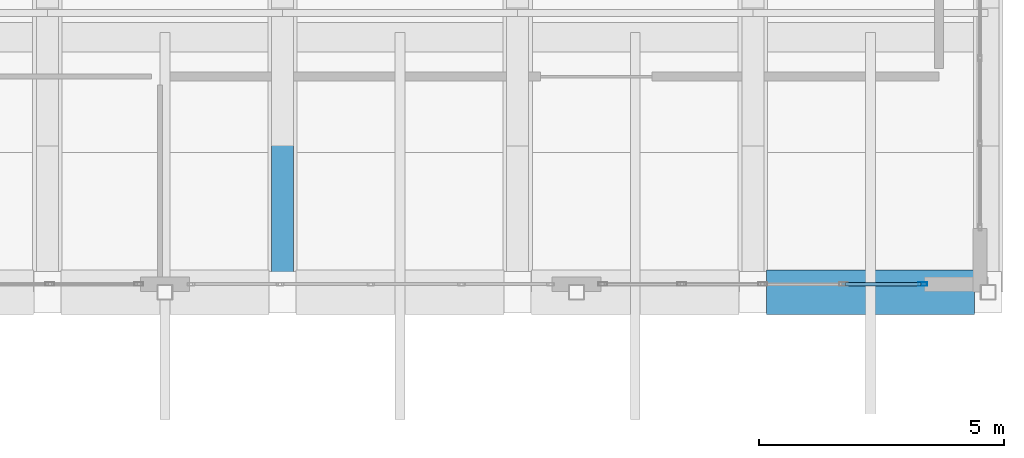
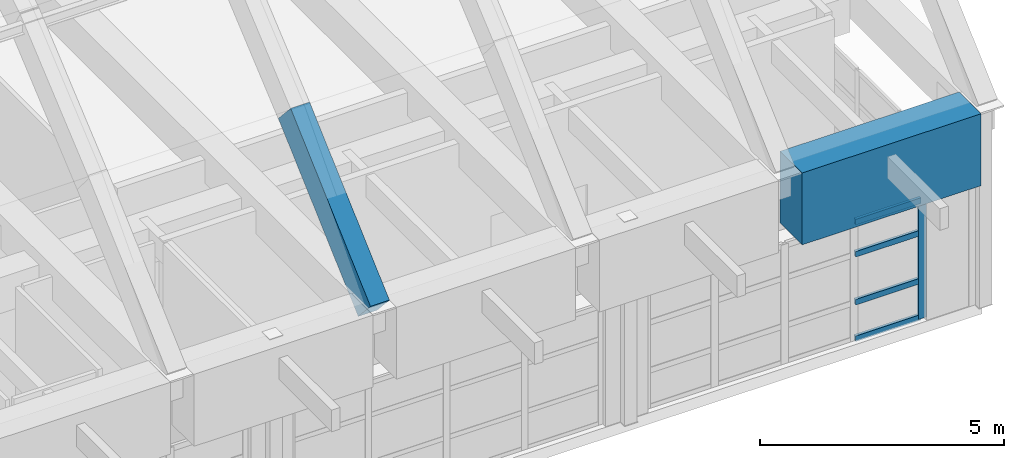
# One storey, part 42 of 78: 5 members, 2 beams, 1 element without a shape of its own.
"""IFC4 building model written with IfcOpenShell, lengths in metres."""

from ifc_helpers import new_model, si_unit, direction, frame, origin, origin_2d, place, context, subcontext, project, spatial, rectangle, hollow_rectangle, extrude, material, layer, layer_set, material_profile, profile_set, type_object, element, aggregate, save


model = new_model("IFC4")

# Units and contexts
model_context = context("Model", 3, precision=1e-05, world=origin(), true_north=direction((0.0, 1.0)))
body_context = subcontext(model_context, "Body", "Model", "MODEL_VIEW")
ifc_project = project(units=[si_unit("LENGTHUNIT", "METRE"), si_unit("AREAUNIT", "SQUARE_METRE"), si_unit("VOLUMEUNIT", "CUBIC_METRE"), si_unit("PLANEANGLEUNIT", "RADIAN"), si_unit("MASSUNIT", "GRAM", prefix="KILO")], contexts=[model_context])

# Site, building, storey
site_placement = place(None, origin())
site = spatial("IfcSite", under=ifc_project, at=site_placement, CompositionType="ELEMENT")
building_placement = place(site_placement, origin())
building = spatial("IfcBuilding", under=site, at=building_placement, Name="Quendrovan Civic Courthouse", CompositionType="ELEMENT")
storey_placement = place(building_placement, frame((0.0, 0.0, 20.39990234375)))
storey = spatial("IfcBuildingStorey", under=building, at=storey_placement, Name="L05", CompositionType="ELEMENT", Elevation=20.39990234375)

# Beams
ifc_material_1 = material(Name="Concrete C45/55", Category="concrete")
ifc_material_profile_1 = material_profile(ifc_material_1, rectangle(XDim=0.89990234375, YDim=1.800048828125, at=origin_2d()), Name="RC-TG-900x1800")
ifc_profile_set_1 = profile_set([ifc_material_profile_1], Name="Concrete C45/55")
beam_type_1 = type_object("IfcBeamType", Name="BM-TG1800", PredefinedType="BEAM", material=ifc_profile_set_1)
beam_1_placement = place(storey_placement, frame((138.280029296875, 87.60009765625, 4.2001953125), z_axis=(1.0, 0.0, 0.0), x_axis=(0.0, 1.0, 0.0)))
element("IfcBeam", 1, at=beam_1_placement, inside=storey, type_object=beam_type_1, Name="BV1 Springing Collector Girder S-7", PredefinedType="BEAM", context=body_context, shape_type="SweptSolid", body=[
    extrude(rectangle(XDim=0.89990234375, YDim=1.800048828125, at=origin_2d()), origin(), (0.0, 0.0, 1.0), 4.239990234375),
])
ifc_material_2 = material(Name="Concrete C40/50", Category="concrete")
ifc_material_profile_2 = material_profile(ifc_material_2, rectangle(XDim=0.449951171875, YDim=0.75, at=origin_2d()), Name="RC-VRIB-450x750")
ifc_profile_set_2 = profile_set([ifc_material_profile_2], Name="Concrete C40/50")
beam_type_2 = type_object("IfcBeamType", Name="BM-VRIB750", PredefinedType="BEAM", material=ifc_profile_set_2)
beam_2_placement = place(storey_placement, frame((128.39990234375, 87.60009765625, 4.900146484375), z_axis=(0.0, 0.740733725172, 0.671798740988), x_axis=(-1.0, 0.0, 0.0)))
element("IfcBeam", 2, at=beam_2_placement, inside=storey, type_object=beam_type_2, Name="BV1 Concrete Vault Arch Rib A5-C1", PredefinedType="BEAM", context=body_context, shape_type="SweptSolid", body=[
    extrude(rectangle(XDim=0.449951171875, YDim=0.75, at=origin_2d()), origin(), (0.0, 0.0, 1.0), 4.423583984375),
])

# Curtain wall, members
ifc_material_3 = material(Name="Bronze anodised aluminium and low-E glass", Category="aluminium")
ifc_layer = layer(ifc_material_3, 0.179931640625, Name="Bronze anodised aluminium and low-E glass")
ifc_layer_set = layer_set([ifc_layer], Name="Bronze anodised aluminium and low-E glass")
curtain_wall_type = type_object("IfcCurtainWallType", Name="CW-U66x30", PredefinedType="USERDEFINED", material=ifc_layer_set)
curtain_wall_placement = place(storey_placement, origin())
curtain_wall = element("IfcCurtainWall", 3, at=curtain_wall_placement, inside=storey, type_object=curtain_wall_type, Name="L05 Unitised Hurricane Curtain Wall CW-198", ObjectType="UNITISED CURTAIN WALL", PredefinedType="USERDEFINED")
ifc_material_4 = material(Name="Bronze anodised aluminium", Category="aluminium")
ifc_material_profile_3 = material_profile(ifc_material_4, hollow_rectangle(XDim=0.070068359375, YDim=0.179931640625, WallThickness=0.00390625, at=origin_2d()), Name="CW-MULL-70x180")
ifc_profile_set_3 = profile_set([ifc_material_profile_3], Name="Bronze anodised aluminium")
member_type_1 = type_object("IfcMemberType", Name="CW-MULL-A", PredefinedType="MULLION", material=ifc_profile_set_3)
member_1_placement = place(storey_placement, frame((141.465087890625, 87.764892578125, 0.0), z_axis=(0.0, 0.0, 1.0), x_axis=(0.0, -1.0, 0.0)))
member_1 = element("IfcMember", 4, at=member_1_placement, type_object=member_type_1, Name="CW-198 mullion 1", PredefinedType="MULLION", context=body_context, shape_type="SweptSolid", body=[
    extrude(hollow_rectangle(XDim=0.070068359375, YDim=0.179931640625, WallThickness=0.00390625, at=origin_2d()), origin(), (0.0, 0.0, 1.0), 2.989990234375),
])
ifc_material_profile_4 = material_profile(ifc_material_4, hollow_rectangle(XDim=0.070068359375, YDim=0.139892578125, WallThickness=0.00390625, at=origin_2d()), Name="CW-TRAN-70x140")
ifc_profile_set_4 = profile_set([ifc_material_profile_4], Name="Bronze anodised aluminium")
member_type_2 = type_object("IfcMemberType", Name="CW-TRAN-A", PredefinedType="USERDEFINED", material=ifc_profile_set_4)
member_2_placement = place(storey_placement, frame((141.429931640625, 87.764892578125, 0.03515625), z_axis=(-1.0, 0.0, 0.0), x_axis=(0.0, -1.0, 0.0)))
member_2 = element("IfcMember", 5, at=member_2_placement, type_object=member_type_2, Name="CW-198 transom 1.1", ObjectType="TRANSOM", PredefinedType="USERDEFINED", context=body_context, shape_type="SweptSolid", body=[
    extrude(hollow_rectangle(XDim=0.070068359375, YDim=0.139892578125, WallThickness=0.00390625, at=origin_2d()), origin(), (0.0, 0.0, 1.0), 1.544921875),
])
member_3_placement = place(storey_placement, frame((141.429931640625, 87.764892578125, 0.9501953125), z_axis=(-1.0, 0.0, 0.0), x_axis=(0.0, -1.0, 0.0)))
member_3 = element("IfcMember", 6, at=member_3_placement, type_object=member_type_2, Name="CW-198 transom 1.2", ObjectType="TRANSOM", PredefinedType="USERDEFINED", context=body_context, shape_type="SweptSolid", body=[
    extrude(hollow_rectangle(XDim=0.070068359375, YDim=0.139892578125, WallThickness=0.00390625, at=origin_2d()), origin(), (0.0, 0.0, 1.0), 1.544921875),
])
member_4_placement = place(storey_placement, frame((141.429931640625, 87.764892578125, 2.150146484375), z_axis=(-1.0, 0.0, 0.0), x_axis=(0.0, -1.0, 0.0)))
member_4 = element("IfcMember", 7, at=member_4_placement, type_object=member_type_2, Name="CW-198 transom 1.3", ObjectType="TRANSOM", PredefinedType="USERDEFINED", context=body_context, shape_type="SweptSolid", body=[
    extrude(hollow_rectangle(XDim=0.070068359375, YDim=0.139892578125, WallThickness=0.00390625, at=origin_2d()), origin(), (0.0, 0.0, 1.0), 1.544921875),
])
member_5_placement = place(storey_placement, frame((141.429931640625, 87.764892578125, 2.955078125), z_axis=(-1.0, 0.0, 0.0), x_axis=(0.0, -1.0, 0.0)))
member_5 = element("IfcMember", 8, at=member_5_placement, type_object=member_type_2, Name="CW-198 transom 1.4", ObjectType="TRANSOM", PredefinedType="USERDEFINED", context=body_context, shape_type="SweptSolid", body=[
    extrude(hollow_rectangle(XDim=0.070068359375, YDim=0.139892578125, WallThickness=0.00390625, at=origin_2d()), origin(), (0.0, 0.0, 1.0), 1.544921875),
])
aggregate(curtain_wall, [member_1, member_2, member_3, member_4, member_5])

save(model, "model.ifc")
